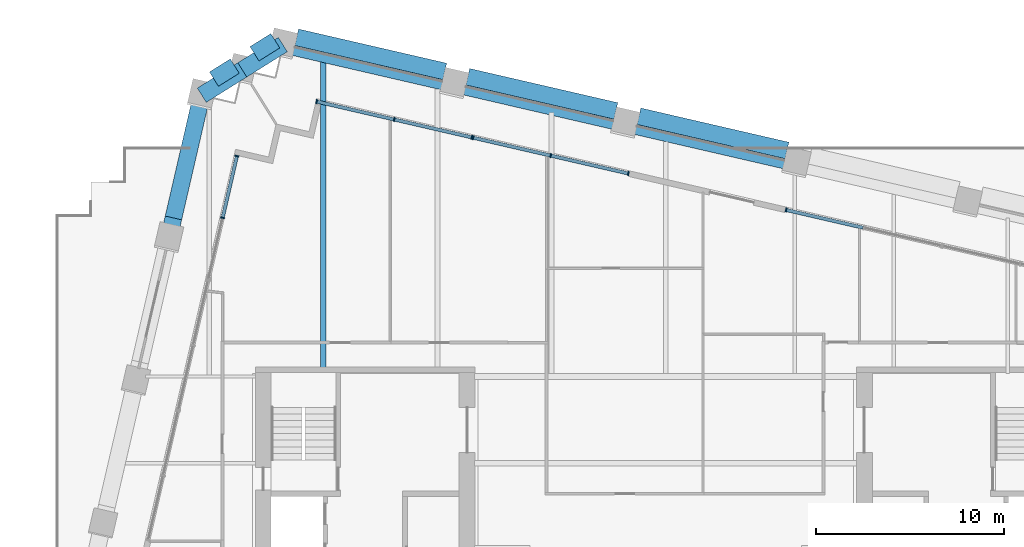
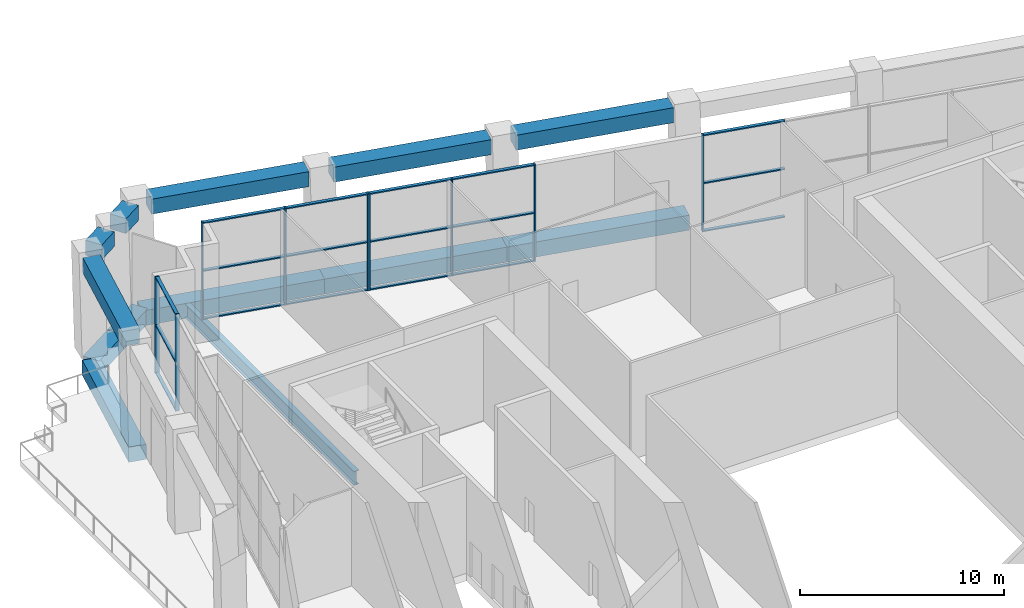
# One storey, part 11 of 23: 27 members, 13 beams, 4 elements without a shape of their own.
"""IFC4 building model written with IfcOpenShell, lengths in metres."""

from ifc_helpers import new_model, si_unit, direction, frame, origin, origin_2d, place, context, subcontext, project, spatial, rectangle, i_section, extrude, material, material_profile, profile_set, type_object, element, aggregate, save


model = new_model("IFC4")

# Units and contexts
model_context = context("Model", 3, precision=1e-05, world=origin(), true_north=direction((0.0, 1.0)))
body_context = subcontext(model_context, "Body", "Model", "MODEL_VIEW")
ifc_project = project(units=[si_unit("LENGTHUNIT", "METRE"), si_unit("AREAUNIT", "SQUARE_METRE"), si_unit("VOLUMEUNIT", "CUBIC_METRE"), si_unit("PLANEANGLEUNIT", "RADIAN"), si_unit("MASSUNIT", "GRAM", prefix="KILO")], contexts=[model_context])

# Site, building, storey
site_placement = place(None, origin())
site = spatial("IfcSite", under=ifc_project, at=site_placement, CompositionType="ELEMENT")
building_placement = place(site_placement, origin())
building = spatial("IfcBuilding", under=site, at=building_placement, Name="Ogive Exchange Tower", CompositionType="ELEMENT")
storey_placement = place(building_placement, frame((0.0, 0.0, 99.60009765625)))
storey = spatial("IfcBuildingStorey", under=building, at=storey_placement, Name="L21", CompositionType="ELEMENT", Elevation=99.60009765625)

# Beams
ifc_material_1 = material(Name="Steel ASTM A992 Gr50", Category="steel")
ifc_material_profile_1 = material_profile(ifc_material_1, i_section(OverallWidth=0.2919921875, OverallDepth=0.8359375, WebThickness=0.013916015625, FlangeThickness=0.018798828125, at=origin_2d()), Name="W840x176")
ifc_profile_set_1 = profile_set([ifc_material_profile_1], Name="Steel ASTM A992 Gr50")
beam_type_1 = type_object("IfcBeamType", Name="Floor beam W840x176", PredefinedType="JOIST", material=ifc_profile_set_1)
beam_1_placement = place(storey_placement, frame((-18.22021484375, 25.39990234375, -0.8681640625), z_axis=(0.0, 1.0, 0.0), x_axis=(-1.0, 0.0, 0.0)))
element("IfcBeam", 1, at=beam_1_placement, inside=storey, type_object=beam_type_1, Name="Floor beam", PredefinedType="JOIST", context=body_context, shape_type="SweptSolid", body=[
    extrude(i_section(OverallWidth=0.2919921875, OverallDepth=0.8359375, WebThickness=0.013916015625, FlangeThickness=0.018798828125, at=origin_2d()), origin(), (0.0, 0.0, 1.0), 16.70751953125),
])
ifc_material_2 = material(Name="Precast concrete C70/85 (limestone faced)", Category="masonry")
ifc_material_profile_2 = material_profile(ifc_material_2, rectangle(XDim=0.89990234375, YDim=0.89990234375, at=origin_2d()), Name="900 x 900")
ifc_profile_set_2 = profile_set([ifc_material_profile_2], Name="Precast concrete C70/85 (limestone faced)")
beam_type_2 = type_object("IfcBeamType", Name="Precast spandrel 900 x 900 C70/85", PredefinedType="SPANDREL", material=ifc_profile_set_2)
beam_2_placement = place(storey_placement, frame((6.459716796875, 37.28125, 5.2998046875), z_axis=(-0.974370337884, 0.224949871421, 0.0), x_axis=(-0.224949871421, -0.974370337884, 0.0)))
element("IfcBeam", 2, at=beam_2_placement, inside=storey, type_object=beam_type_2, Name="Spandrel 21", PredefinedType="SPANDREL", context=body_context, shape_type="SweptSolid", body=[
    extrude(rectangle(XDim=0.89990234375, YDim=0.89990234375, at=origin_2d()), origin(), (0.0, 0.0, 1.0), 8.08984375),
])
beam_3_placement = place(storey_placement, frame((-2.650390625, 39.384521484375, 5.2998046875), z_axis=(-0.974371864918, 0.224943256972, 0.0), x_axis=(-0.224943256972, -0.974371864918, 0.0)))
element("IfcBeam", 3, at=beam_3_placement, inside=storey, type_object=beam_type_2, Name="Spandrel 22", PredefinedType="SPANDREL", context=body_context, shape_type="SweptSolid", body=[
    extrude(rectangle(XDim=0.89990234375, YDim=0.89990234375, at=origin_2d()), origin(), (0.0, 0.0, 1.0), 8.090087890625),
])
beam_4_placement = place(storey_placement, frame((-11.760986328125, 41.48779296875, 5.2998046875), z_axis=(-0.974370337884, 0.224949871421, 0.0), x_axis=(-0.224949871421, -0.974370337884, 0.0)))
element("IfcBeam", 4, at=beam_4_placement, inside=storey, type_object=beam_type_2, Name="Spandrel 23", PredefinedType="SPANDREL", context=body_context, shape_type="SweptSolid", body=[
    extrude(rectangle(XDim=0.89990234375, YDim=0.89990234375, at=origin_2d()), origin(), (0.0, 0.0, 1.0), 8.08984375),
])
for number, where, z_axis, x_axis, name in (
    (5, (-20.782470703125, 43.12109375, 5.2998046875), (-0.848176643187, -0.529713490438, 0.0), (0.529713490438, -0.848176643187, 0.0), "Spandrel 24"),
    (6, (-22.94140625, 41.772216796875, 5.2998046875), (-0.848040277303, -0.529931776808, 0.0), (0.529931776808, -0.848040277303, 0.0), "Spandrel 25"),
):
    element("IfcBeam", number, at=place(storey_placement, frame(where, z_axis=z_axis, x_axis=x_axis)), inside=storey, type_object=beam_type_2, Name=name, PredefinedType="SPANDREL", context=body_context, shape_type="SweptSolid", body=[
        extrude(rectangle(XDim=0.89990234375, YDim=0.89990234375, at=origin_2d()), origin(), (0.0, 0.0, 1.0), 1.30712890625),
    ])
beam_5_placement = place(storey_placement, frame((-24.716796875, 40.1376953125, 5.2998046875), z_axis=(-0.224918779098, -0.97437751555, 0.0), x_axis=(0.97437751555, -0.224918779098, 0.0)))
element("IfcBeam", 7, at=beam_5_placement, inside=storey, type_object=beam_type_2, Name="Spandrel 26", PredefinedType="SPANDREL", context=body_context, shape_type="SweptSolid", body=[
    extrude(rectangle(XDim=0.89990234375, YDim=0.89990234375, at=origin_2d()), origin(), (0.0, 0.0, 1.0), 6.6181640625),
])
ifc_material_profile_3 = material_profile(ifc_material_2, rectangle(XDim=0.89990234375, YDim=0.89990234375, at=origin_2d()), Name="900 x 900")
ifc_profile_set_3 = profile_set([ifc_material_profile_3], Name="Precast concrete C70/85 (limestone faced)")
beam_type_3 = type_object("IfcBeamType", Name="Precast transfer girder 900 x 900 C70/85", PredefinedType="BEAM", material=ifc_profile_set_3)
for number, where, z_axis, x_axis, name in (
    (8, (6.950927734375, 36.60791015625, -0.900146484375), (-0.974370507876, 0.224949135099, 0.0), (-0.224949135099, -0.974370507876, 0.0), "Transfer girder 21"),
    (9, (-2.159423828125, 38.711181640625, -0.900146484375), (-0.974364784413, 0.224973924925, 0.0), (-0.224973924925, -0.974364784413, 0.0), "Transfer girder 22"),
    (10, (-11.269775390625, 40.814697265625, -0.900146484375), (-0.974370507876, 0.224949135099, 0.0), (-0.224949135099, -0.974370507876, 0.0), "Transfer girder 23"),
):
    element("IfcBeam", number, at=place(storey_placement, frame(where, z_axis=z_axis, x_axis=x_axis)), inside=storey, type_object=beam_type_3, Name=name, PredefinedType="BEAM", context=body_context, shape_type="SweptSolid", body=[
        extrude(rectangle(XDim=0.89990234375, YDim=0.89990234375, at=origin_2d()), origin(), (0.0, 0.0, 1.0), 9.35009765625),
    ])
beam_6_placement = place(storey_placement, frame((-20.380126953125, 42.91796875, -0.900146484375), z_axis=(-0.848052182659, -0.529912724405, 0.0), x_axis=(0.529912724405, -0.848052182659, 0.0)))
element("IfcBeam", 11, at=beam_6_placement, inside=storey, type_object=beam_type_3, Name="Transfer girder 24", PredefinedType="BEAM", context=body_context, shape_type="SweptSolid", body=[
    extrude(rectangle(XDim=0.89990234375, YDim=0.89990234375, at=origin_2d()), origin(), (0.0, 0.0, 1.0), 2.54541015625),
])
beam_7_placement = place(storey_placement, frame((-22.538818359375, 41.569091796875, -0.900146484375), z_axis=(-0.848009079889, -0.529981698198, 0.0), x_axis=(0.529981698198, -0.848009079889, 0.0)))
element("IfcBeam", 12, at=beam_7_placement, inside=storey, type_object=beam_type_3, Name="Transfer girder 25", PredefinedType="BEAM", context=body_context, shape_type="SweptSolid", body=[
    extrude(rectangle(XDim=0.89990234375, YDim=0.89990234375, at=origin_2d()), origin(), (0.0, 0.0, 1.0), 2.545654296875),
])
beam_8_placement = place(storey_placement, frame((-24.697509765625, 40.219970703125, -0.900146484375), z_axis=(-0.224982945669, -0.974362701543, 0.0), x_axis=(0.974362701543, -0.224982945669, 0.0)))
element("IfcBeam", 13, at=beam_8_placement, inside=storey, type_object=beam_type_3, Name="Transfer girder 26", PredefinedType="BEAM", context=body_context, shape_type="SweptSolid", body=[
    extrude(rectangle(XDim=0.89990234375, YDim=0.89990234375, at=origin_2d()), origin(), (0.0, 0.0, 1.0), 7.800048828125),
])

# Curtain wall, member
ifc_material_3 = material(Name="Anodised aluminium and clear glass", Category="aluminium")
curtain_wall_type = type_object("IfcCurtainWallType", Name="Sky lobby glazing", PredefinedType="NOTDEFINED", material=ifc_material_3)
curtain_wall_1_placement = place(storey_placement, origin())
curtain_wall_1 = element("IfcCurtainWall", 14, at=curtain_wall_1_placement, inside=storey, type_object=curtain_wall_type, Name="Sky lobby glazing run G16", PredefinedType="NOTDEFINED")
ifc_material_4 = material(Name="Anodised aluminium", Category="aluminium")
ifc_material_profile_4 = material_profile(ifc_material_4, rectangle(XDim=0.219970703125, YDim=0.070068359375, at=origin_2d()), Name="AL 70x220")
ifc_profile_set_4 = profile_set([ifc_material_profile_4], Name="Anodised aluminium")
member_type_1 = type_object("IfcMemberType", Name="Sky lobby glazing mullion 70 x 220", PredefinedType="MULLION", material=ifc_profile_set_4)
member_1_placement = place(storey_placement, frame((6.41162109375, 34.115478515625, 0.0), z_axis=(0.0, 0.0, 1.0), x_axis=(-0.224949196986, -0.974370493588, 0.0)))
member_1 = element("IfcMember", 15, at=member_1_placement, type_object=member_type_1, Name="G16 mullion 3", PredefinedType="MULLION", context=body_context, shape_type="SweptSolid", body=[
    extrude(rectangle(XDim=0.219970703125, YDim=0.070068359375, at=origin_2d()), origin(), (0.0, 0.0, 1.0), 5.7998046875),
])

# Curtain wall, members
curtain_wall_2_placement = place(storey_placement, origin())
curtain_wall_2 = element("IfcCurtainWall", 16, at=curtain_wall_2_placement, inside=storey, type_object=curtain_wall_type, Name="Sky lobby glazing run G18", PredefinedType="NOTDEFINED")
member_2_placement = place(storey_placement, frame((-1.987548828125, 36.0546875, 0.0), z_axis=(0.0, 0.0, 1.0), x_axis=(-0.224957737445, -0.974368521846, 0.0)))
member_2 = element("IfcMember", 17, at=member_2_placement, type_object=member_type_1, Name="G18 mullion 1", PredefinedType="MULLION", context=body_context, shape_type="SweptSolid", body=[
    extrude(rectangle(XDim=0.219970703125, YDim=0.070068359375, at=origin_2d()), origin(), (0.0, 0.0, 1.0), 5.7998046875),
])
member_3_placement = place(storey_placement, frame((-6.118896484375, 37.00830078125, 0.0), z_axis=(0.0, 0.0, 1.0), x_axis=(-0.224957737445, -0.974368521846, 0.0)))
member_3 = element("IfcMember", 18, at=member_3_placement, type_object=member_type_1, Name="G18 mullion 2", PredefinedType="MULLION", context=body_context, shape_type="SweptSolid", body=[
    extrude(rectangle(XDim=0.219970703125, YDim=0.070068359375, at=origin_2d()), origin(), (0.0, 0.0, 1.0), 5.7998046875),
])
member_4_placement = place(storey_placement, frame((-10.250244140625, 37.962158203125, 0.0), z_axis=(0.0, 0.0, 1.0), x_axis=(-0.224957737445, -0.974368521846, 0.0)))
member_4 = element("IfcMember", 19, at=member_4_placement, type_object=member_type_1, Name="G18 mullion 3", PredefinedType="MULLION", context=body_context, shape_type="SweptSolid", body=[
    extrude(rectangle(XDim=0.219970703125, YDim=0.070068359375, at=origin_2d()), origin(), (0.0, 0.0, 1.0), 5.7998046875),
])

curtain_wall_3_placement = place(storey_placement, origin())
curtain_wall_3 = element("IfcCurtainWall", 20, at=curtain_wall_3_placement, inside=storey, type_object=curtain_wall_type, Name="Sky lobby glazing run G19", PredefinedType="NOTDEFINED")
member_5_placement = place(storey_placement, frame((-10.318603515625, 37.97802734375, 0.0), z_axis=(0.0, 0.0, 1.0), x_axis=(-0.224949196986, -0.974370493588, 0.0)))
member_5 = element("IfcMember", 21, at=member_5_placement, type_object=member_type_1, Name="G19 mullion 1", PredefinedType="MULLION", context=body_context, shape_type="SweptSolid", body=[
    extrude(rectangle(XDim=0.219970703125, YDim=0.070068359375, at=origin_2d()), origin(), (0.0, 0.0, 1.0), 5.7998046875),
])
member_6_placement = place(storey_placement, frame((-14.44970703125, 38.931640625, 0.0), z_axis=(0.0, 0.0, 1.0), x_axis=(-0.224949196986, -0.974370493588, 0.0)))
member_6 = element("IfcMember", 22, at=member_6_placement, type_object=member_type_1, Name="G19 mullion 2", PredefinedType="MULLION", context=body_context, shape_type="SweptSolid", body=[
    extrude(rectangle(XDim=0.219970703125, YDim=0.070068359375, at=origin_2d()), origin(), (0.0, 0.0, 1.0), 5.7998046875),
])
member_7_placement = place(storey_placement, frame((-18.5810546875, 39.885498046875, 0.0), z_axis=(0.0, 0.0, 1.0), x_axis=(-0.224949196986, -0.974370493588, 0.0)))
member_7 = element("IfcMember", 23, at=member_7_placement, type_object=member_type_1, Name="G19 mullion 3", PredefinedType="MULLION", context=body_context, shape_type="SweptSolid", body=[
    extrude(rectangle(XDim=0.219970703125, YDim=0.070068359375, at=origin_2d()), origin(), (0.0, 0.0, 1.0), 5.7998046875),
])

curtain_wall_4_placement = place(storey_placement, origin())
curtain_wall_4 = element("IfcCurtainWall", 24, at=curtain_wall_4_placement, inside=storey, type_object=curtain_wall_type, Name="Sky lobby glazing run G20", PredefinedType="NOTDEFINED")
member_8_placement = place(storey_placement, frame((-22.828369140625, 36.9814453125, 0.0), z_axis=(0.0, 0.0, 1.0), x_axis=(0.974369920963, -0.224951677306, 0.0)))
member_8 = element("IfcMember", 25, at=member_8_placement, type_object=member_type_1, Name="G20 mullion 1", PredefinedType="MULLION", context=body_context, shape_type="SweptSolid", body=[
    extrude(rectangle(XDim=0.219970703125, YDim=0.070068359375, at=origin_2d()), origin(), (0.0, 0.0, 1.0), 5.7998046875),
])
member_9_placement = place(storey_placement, frame((-23.5869140625, 33.69580078125, 0.0), z_axis=(0.0, 0.0, 1.0), x_axis=(0.974369920963, -0.224951677306, 0.0)))
member_9 = element("IfcMember", 26, at=member_9_placement, type_object=member_type_1, Name="G20 mullion 2", PredefinedType="MULLION", context=body_context, shape_type="SweptSolid", body=[
    extrude(rectangle(XDim=0.219970703125, YDim=0.070068359375, at=origin_2d()), origin(), (0.0, 0.0, 1.0), 5.7998046875),
])

# Member
ifc_material_profile_5 = material_profile(ifc_material_4, rectangle(XDim=0.179931640625, YDim=0.070068359375, at=origin_2d()), Name="AL 70x180")
ifc_profile_set_5 = profile_set([ifc_material_profile_5], Name="Anodised aluminium")
member_type_2 = type_object("IfcMemberType", Name="Sky lobby glazing transom 70 x 180", PredefinedType="USERDEFINED", material=ifc_profile_set_5)
member_10_placement = place(storey_placement, frame((10.5087890625, 33.169677734375, 0.034912109375), z_axis=(-0.974374418682, 0.224932194711, 0.0), x_axis=(-0.224932194711, -0.974374418682, 0.0)))
member_10 = element("IfcMember", 27, at=member_10_placement, type_object=member_type_2, Name="G16 transom 2.1", ObjectType="TRANSOM", PredefinedType="USERDEFINED", context=body_context, shape_type="SweptSolid", body=[
    extrude(rectangle(XDim=0.179931640625, YDim=0.070068359375, at=origin_2d()), origin(), (0.0, 0.0, 1.0), 4.170166015625),
])

member_11_placement = place(storey_placement, frame((10.5087890625, 33.169677734375, 2.89990234375), z_axis=(-0.974374418682, 0.224932194711, 0.0), x_axis=(-0.224932194711, -0.974374418682, 0.0)))
member_11 = element("IfcMember", 28, at=member_11_placement, type_object=member_type_2, Name="G16 transom 2.2", ObjectType="TRANSOM", PredefinedType="USERDEFINED", context=body_context, shape_type="SweptSolid", body=[
    extrude(rectangle(XDim=0.179931640625, YDim=0.070068359375, at=origin_2d()), origin(), (0.0, 0.0, 1.0), 4.170166015625),
])

member_12_placement = place(storey_placement, frame((10.5087890625, 33.169677734375, 5.764892578125), z_axis=(-0.974374418682, 0.224932194711, 0.0), x_axis=(-0.224932194711, -0.974374418682, 0.0)))
member_12 = element("IfcMember", 29, at=member_12_placement, type_object=member_type_2, Name="G16 transom 2.3", ObjectType="TRANSOM", PredefinedType="USERDEFINED", context=body_context, shape_type="SweptSolid", body=[
    extrude(rectangle(XDim=0.179931640625, YDim=0.070068359375, at=origin_2d()), origin(), (0.0, 0.0, 1.0), 4.170166015625),
])

aggregate(curtain_wall_1, [member_1, member_10, member_11, member_12])

member_13_placement = place(storey_placement, frame((-2.021728515625, 36.0625, 0.034912109375), z_axis=(-0.974374418682, 0.224932194711, 0.0), x_axis=(-0.224932194711, -0.974374418682, 0.0)))
member_13 = element("IfcMember", 30, at=member_13_placement, type_object=member_type_2, Name="G18 transom 1.1", ObjectType="TRANSOM", PredefinedType="USERDEFINED", context=body_context, shape_type="SweptSolid", body=[
    extrude(rectangle(XDim=0.179931640625, YDim=0.070068359375, at=origin_2d()), origin(), (0.0, 0.0, 1.0), 4.170166015625),
])

member_14_placement = place(storey_placement, frame((-2.021728515625, 36.0625, 2.89990234375), z_axis=(-0.974374418682, 0.224932194711, 0.0), x_axis=(-0.224932194711, -0.974374418682, 0.0)))
member_14 = element("IfcMember", 31, at=member_14_placement, type_object=member_type_2, Name="G18 transom 1.2", ObjectType="TRANSOM", PredefinedType="USERDEFINED", context=body_context, shape_type="SweptSolid", body=[
    extrude(rectangle(XDim=0.179931640625, YDim=0.070068359375, at=origin_2d()), origin(), (0.0, 0.0, 1.0), 4.170166015625),
])

member_15_placement = place(storey_placement, frame((-2.021728515625, 36.0625, 5.764892578125), z_axis=(-0.974374418682, 0.224932194711, 0.0), x_axis=(-0.224932194711, -0.974374418682, 0.0)))
member_15 = element("IfcMember", 32, at=member_15_placement, type_object=member_type_2, Name="G18 transom 1.3", ObjectType="TRANSOM", PredefinedType="USERDEFINED", context=body_context, shape_type="SweptSolid", body=[
    extrude(rectangle(XDim=0.179931640625, YDim=0.070068359375, at=origin_2d()), origin(), (0.0, 0.0, 1.0), 4.170166015625),
])

member_16_placement = place(storey_placement, frame((-6.153076171875, 37.016357421875, 0.034912109375), z_axis=(-0.974374418682, 0.224932194711, 0.0), x_axis=(-0.224932194711, -0.974374418682, 0.0)))
member_16 = element("IfcMember", 33, at=member_16_placement, type_object=member_type_2, Name="G18 transom 2.1", ObjectType="TRANSOM", PredefinedType="USERDEFINED", context=body_context, shape_type="SweptSolid", body=[
    extrude(rectangle(XDim=0.179931640625, YDim=0.070068359375, at=origin_2d()), origin(), (0.0, 0.0, 1.0), 4.170166015625),
])

member_17_placement = place(storey_placement, frame((-6.153076171875, 37.016357421875, 2.89990234375), z_axis=(-0.974374418682, 0.224932194711, 0.0), x_axis=(-0.224932194711, -0.974374418682, 0.0)))
member_17 = element("IfcMember", 34, at=member_17_placement, type_object=member_type_2, Name="G18 transom 2.2", ObjectType="TRANSOM", PredefinedType="USERDEFINED", context=body_context, shape_type="SweptSolid", body=[
    extrude(rectangle(XDim=0.179931640625, YDim=0.070068359375, at=origin_2d()), origin(), (0.0, 0.0, 1.0), 4.170166015625),
])

member_18_placement = place(storey_placement, frame((-6.153076171875, 37.016357421875, 5.764892578125), z_axis=(-0.974374418682, 0.224932194711, 0.0), x_axis=(-0.224932194711, -0.974374418682, 0.0)))
member_18 = element("IfcMember", 35, at=member_18_placement, type_object=member_type_2, Name="G18 transom 2.3", ObjectType="TRANSOM", PredefinedType="USERDEFINED", context=body_context, shape_type="SweptSolid", body=[
    extrude(rectangle(XDim=0.179931640625, YDim=0.070068359375, at=origin_2d()), origin(), (0.0, 0.0, 1.0), 4.170166015625),
])

aggregate(curtain_wall_2, [member_2, member_3, member_4, member_13, member_14, member_15, member_16, member_17, member_18])

member_19_placement = place(storey_placement, frame((-10.3525390625, 37.98583984375, 0.034912109375), z_axis=(-0.974374418682, 0.224932194711, 0.0), x_axis=(-0.224932194711, -0.974374418682, 0.0)))
member_19 = element("IfcMember", 36, at=member_19_placement, type_object=member_type_2, Name="G19 transom 1.1", ObjectType="TRANSOM", PredefinedType="USERDEFINED", context=body_context, shape_type="SweptSolid", body=[
    extrude(rectangle(XDim=0.179931640625, YDim=0.070068359375, at=origin_2d()), origin(), (0.0, 0.0, 1.0), 4.170166015625),
])

member_20_placement = place(storey_placement, frame((-10.3525390625, 37.98583984375, 2.89990234375), z_axis=(-0.974374418682, 0.224932194711, 0.0), x_axis=(-0.224932194711, -0.974374418682, 0.0)))
member_20 = element("IfcMember", 37, at=member_20_placement, type_object=member_type_2, Name="G19 transom 1.2", ObjectType="TRANSOM", PredefinedType="USERDEFINED", context=body_context, shape_type="SweptSolid", body=[
    extrude(rectangle(XDim=0.179931640625, YDim=0.070068359375, at=origin_2d()), origin(), (0.0, 0.0, 1.0), 4.170166015625),
])

member_21_placement = place(storey_placement, frame((-10.3525390625, 37.98583984375, 5.764892578125), z_axis=(-0.974374418682, 0.224932194711, 0.0), x_axis=(-0.224932194711, -0.974374418682, 0.0)))
member_21 = element("IfcMember", 38, at=member_21_placement, type_object=member_type_2, Name="G19 transom 1.3", ObjectType="TRANSOM", PredefinedType="USERDEFINED", context=body_context, shape_type="SweptSolid", body=[
    extrude(rectangle(XDim=0.179931640625, YDim=0.070068359375, at=origin_2d()), origin(), (0.0, 0.0, 1.0), 4.170166015625),
])

member_22_placement = place(storey_placement, frame((-14.48388671875, 38.939697265625, 0.034912109375), z_axis=(-0.974371456344, 0.224945026756, 0.0), x_axis=(-0.224945026756, -0.974371456344, 0.0)))
member_22 = element("IfcMember", 39, at=member_22_placement, type_object=member_type_2, Name="G19 transom 2.1", ObjectType="TRANSOM", PredefinedType="USERDEFINED", context=body_context, shape_type="SweptSolid", body=[
    extrude(rectangle(XDim=0.179931640625, YDim=0.070068359375, at=origin_2d()), origin(), (0.0, 0.0, 1.0), 4.169921875),
])

member_23_placement = place(storey_placement, frame((-14.48388671875, 38.939697265625, 2.89990234375), z_axis=(-0.974371456344, 0.224945026756, 0.0), x_axis=(-0.224945026756, -0.974371456344, 0.0)))
member_23 = element("IfcMember", 40, at=member_23_placement, type_object=member_type_2, Name="G19 transom 2.2", ObjectType="TRANSOM", PredefinedType="USERDEFINED", context=body_context, shape_type="SweptSolid", body=[
    extrude(rectangle(XDim=0.179931640625, YDim=0.070068359375, at=origin_2d()), origin(), (0.0, 0.0, 1.0), 4.169921875),
])

member_24_placement = place(storey_placement, frame((-14.48388671875, 38.939697265625, 5.764892578125), z_axis=(-0.974371456344, 0.224945026756, 0.0), x_axis=(-0.224945026756, -0.974371456344, 0.0)))
member_24 = element("IfcMember", 41, at=member_24_placement, type_object=member_type_2, Name="G19 transom 2.3", ObjectType="TRANSOM", PredefinedType="USERDEFINED", context=body_context, shape_type="SweptSolid", body=[
    extrude(rectangle(XDim=0.179931640625, YDim=0.070068359375, at=origin_2d()), origin(), (0.0, 0.0, 1.0), 4.169921875),
])

aggregate(curtain_wall_3, [member_5, member_6, member_7, member_19, member_20, member_21, member_22, member_23, member_24])

member_25_placement = place(storey_placement, frame((-22.836181640625, 36.947509765625, 0.034912109375), z_axis=(-0.224891902412, -0.974383719194, 0.0), x_axis=(0.974383719194, -0.224891902412, 0.0)))
member_25 = element("IfcMember", 42, at=member_25_placement, type_object=member_type_2, Name="G20 transom 1.1", ObjectType="TRANSOM", PredefinedType="USERDEFINED", context=body_context, shape_type="SweptSolid", body=[
    extrude(rectangle(XDim=0.179931640625, YDim=0.070068359375, at=origin_2d()), origin(), (0.0, 0.0, 1.0), 3.30224609375),
])

member_26_placement = place(storey_placement, frame((-22.836181640625, 36.947509765625, 2.89990234375), z_axis=(-0.224891902412, -0.974383719194, 0.0), x_axis=(0.974383719194, -0.224891902412, 0.0)))
member_26 = element("IfcMember", 43, at=member_26_placement, type_object=member_type_2, Name="G20 transom 1.2", ObjectType="TRANSOM", PredefinedType="USERDEFINED", context=body_context, shape_type="SweptSolid", body=[
    extrude(rectangle(XDim=0.179931640625, YDim=0.070068359375, at=origin_2d()), origin(), (0.0, 0.0, 1.0), 3.30224609375),
])

member_27_placement = place(storey_placement, frame((-22.836181640625, 36.947509765625, 5.764892578125), z_axis=(-0.224891902412, -0.974383719194, 0.0), x_axis=(0.974383719194, -0.224891902412, 0.0)))
member_27 = element("IfcMember", 44, at=member_27_placement, type_object=member_type_2, Name="G20 transom 1.3", ObjectType="TRANSOM", PredefinedType="USERDEFINED", context=body_context, shape_type="SweptSolid", body=[
    extrude(rectangle(XDim=0.179931640625, YDim=0.070068359375, at=origin_2d()), origin(), (0.0, 0.0, 1.0), 3.30224609375),
])

aggregate(curtain_wall_4, [member_8, member_9, member_25, member_26, member_27])

save(model, "model.ifc")
